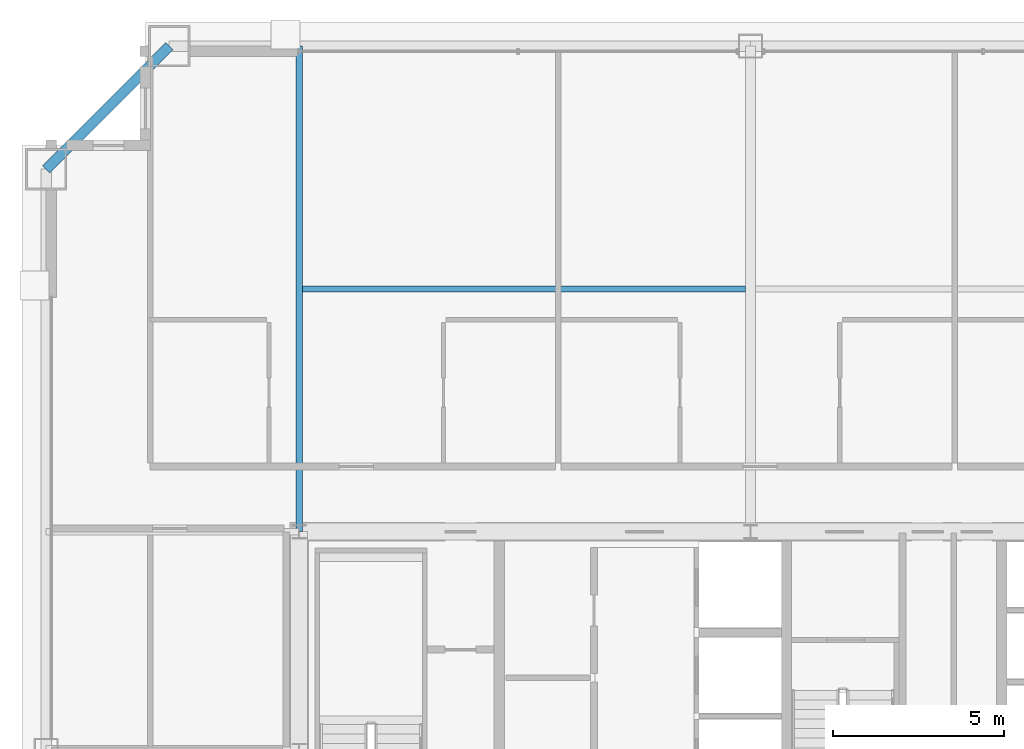
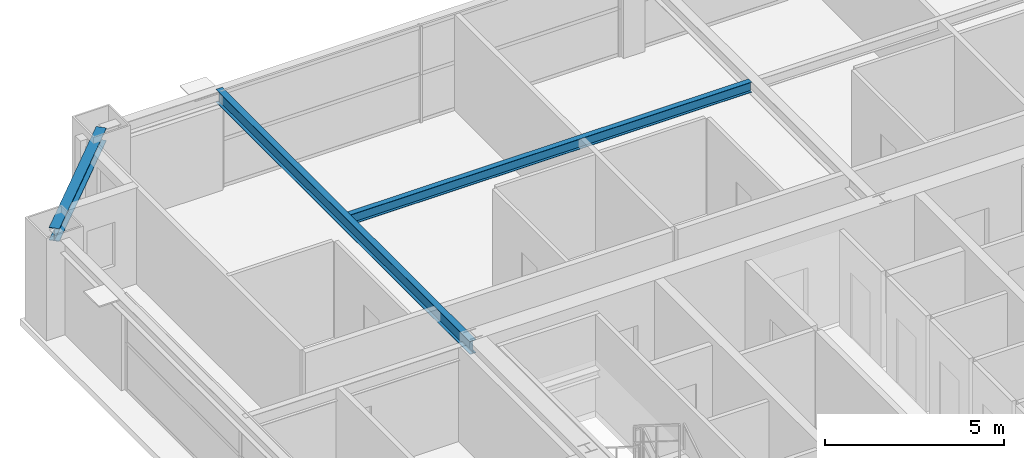
# One storey, part 23 of 36: 3 beams.
"""IFC4 building model written with IfcOpenShell, lengths in metres."""

from ifc_helpers import new_model, si_unit, direction, frame, origin, origin_2d, place, context, subcontext, project, spatial, i_section, extrude, source, transform, mapped, material, material_profile, profile_set, type_object, element, save


model = new_model("IFC4")

# Units and contexts
model_context = context("Model", 3, precision=1e-05, world=origin(), true_north=direction((0.0, 1.0)))
body_context = subcontext(model_context, "Body", "Model", "MODEL_VIEW")
ifc_project = project(units=[si_unit("LENGTHUNIT", "METRE"), si_unit("AREAUNIT", "SQUARE_METRE"), si_unit("VOLUMEUNIT", "CUBIC_METRE"), si_unit("PLANEANGLEUNIT", "RADIAN"), si_unit("MASSUNIT", "GRAM", prefix="KILO"), si_unit("THERMODYNAMICTEMPERATUREUNIT", "KELVIN"), si_unit("POWERUNIT", "WATT")], contexts=[model_context])

# Site, building, storey
site_placement = place(None, origin())
site = spatial("IfcSite", under=ifc_project, at=site_placement, CompositionType="ELEMENT")
building_placement = place(site_placement, origin())
building = spatial("IfcBuilding", under=site, at=building_placement, Name="Yuzanri Waterfront Tower", CompositionType="ELEMENT")
storey_placement = place(building_placement, frame((0.0, 0.0, 238.10009765625)))
storey = spatial("IfcBuildingStorey", under=building, at=storey_placement, Name="L63", CompositionType="ELEMENT", Elevation=238.10009765625)

# Beams
ifc_material_1 = material(Name="Steel Q355B", Category="steel")
ifc_material_profile_1 = material_profile(ifc_material_1, i_section(OverallWidth=0.300048828125, OverallDepth=0.43994140625, WebThickness=0.010986328125, FlangeThickness=0.01806640625, at=origin_2d()), Name="HM 440x300x11x18")
ifc_profile_set_1 = profile_set([ifc_material_profile_1], Name="Steel Q355B")
beam_type_1 = type_object("IfcBeamType", Name="Perimeter Spandrel Q355B HM 440x300", PredefinedType="SPANDREL", material=ifc_profile_set_1)
shared_shape_1 = source(origin(), body_context, "Body", "SweptSolid", [
    extrude(i_section(OverallWidth=0.300048828125, OverallDepth=0.43994140625, WebThickness=0.010986328125, FlangeThickness=0.01806640625, at=origin_2d()), origin(), (0.0, 0.0, 1.0), 5.091064453125),
])
beam_1_placement = place(storey_placement, frame((20.0, 46.39990234375, 3.059814453125), z_axis=(-0.707130757816, -0.707082803744, 0.0), x_axis=(0.707082803744, -0.707130757816, 0.0)))
element("IfcBeam", 1, at=beam_1_placement, inside=storey, type_object=beam_type_1, Name="L63 Perimeter Spandrel N1-W3", PredefinedType="SPANDREL", context=body_context, shape_type="MappedRepresentation", body=[
    mapped(shared_shape_1, transform((0.0, 0.0, 0.0), scale=1.0)),
])
ifc_material_2 = material(Name="Steel Q355B", Category="steel")
ifc_material_profile_2 = material_profile(ifc_material_2, i_section(OverallWidth=0.199951171875, OverallDepth=0.449951171875, WebThickness=0.009033203125, FlangeThickness=0.013916015625, at=origin_2d()), Name="HN 450x200x9x14")
ifc_profile_set_2 = profile_set([ifc_material_profile_2], Name="Steel Q355B")
beam_type_2 = type_object("IfcBeamType", Name="Secondary Floor Beam Q355B HN 450x200", PredefinedType="BEAM", material=ifc_profile_set_2)
shared_shape_2 = source(origin(), body_context, "Body", "SweptSolid", [
    extrude(i_section(OverallWidth=0.199951171875, OverallDepth=0.449951171875, WebThickness=0.009033203125, FlangeThickness=0.013916015625, at=origin_2d()), origin(), (0.0, 0.0, 1.0), 14.199951171875),
])
beam_2_placement = place(storey_placement, frame((23.800048828125, 32.199951171875, 3.054931640625), z_axis=(0.0, 1.0, 0.0), x_axis=(-1.0, 0.0, 0.0)))
element("IfcBeam", 2, at=beam_2_placement, inside=storey, type_object=beam_type_2, Name="L63 North-West Core Line Beam", PredefinedType="BEAM", context=body_context, shape_type="MappedRepresentation", body=[
    mapped(shared_shape_2, transform((0.0, 0.0, 0.0), scale=1.0)),
])
ifc_material_3 = material(Name="Steel Q355B", Category="steel")
ifc_material_profile_3 = material_profile(ifc_material_3, i_section(OverallWidth=0.175048828125, OverallDepth=0.35009765625, WebThickness=0.007080078125, FlangeThickness=0.010986328125, at=origin_2d()), Name="HN 350x175x7x11")
ifc_profile_set_3 = profile_set([ifc_material_profile_3], Name="Steel Q355B")
beam_type_3 = type_object("IfcBeamType", Name="Floor Joist Q355B HN 350x175", PredefinedType="JOIST", material=ifc_profile_set_3)
shared_shape_3 = source(origin(), body_context, "Body", "SweptSolid", [
    extrude(i_section(OverallWidth=0.175048828125, OverallDepth=0.35009765625, WebThickness=0.007080078125, FlangeThickness=0.010986328125, at=origin_2d()), origin(), (0.0, 0.0, 1.0), 12.9501953125),
])
beam_3_placement = place(storey_placement, frame((23.89990234375, 39.300048828125, 3.10498046875), z_axis=(1.0, 0.0, 0.0), x_axis=(0.0, 1.0, 0.0)))
element("IfcBeam", 3, at=beam_3_placement, inside=storey, type_object=beam_type_3, Name="L63 North Bay Joist W", PredefinedType="JOIST", context=body_context, shape_type="MappedRepresentation", body=[
    mapped(shared_shape_3, transform((0.0, 0.0, 0.0), scale=1.0)),
])

save(model, "model.ifc")
